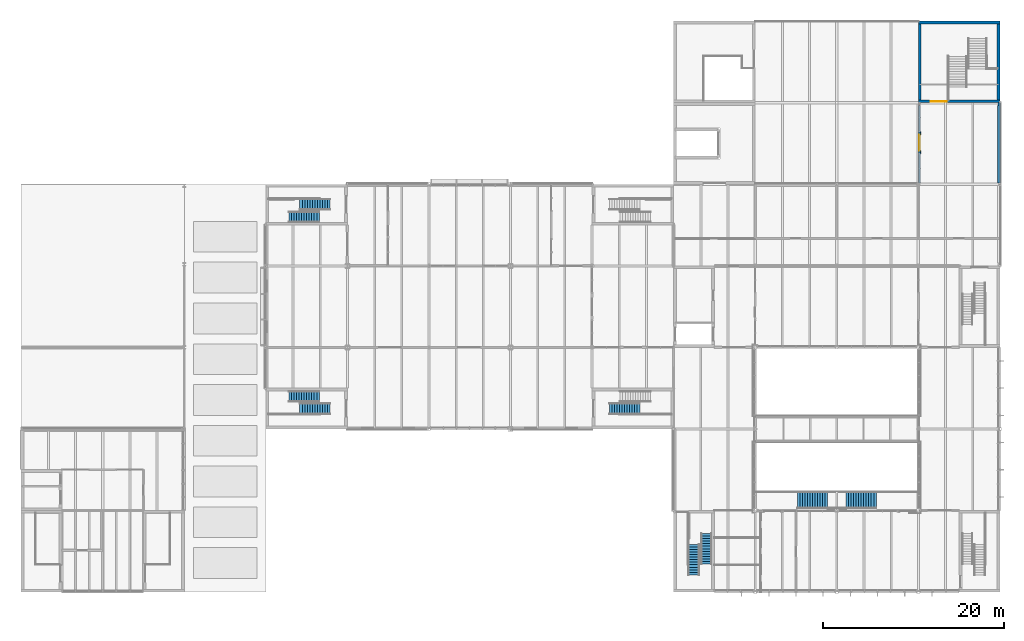
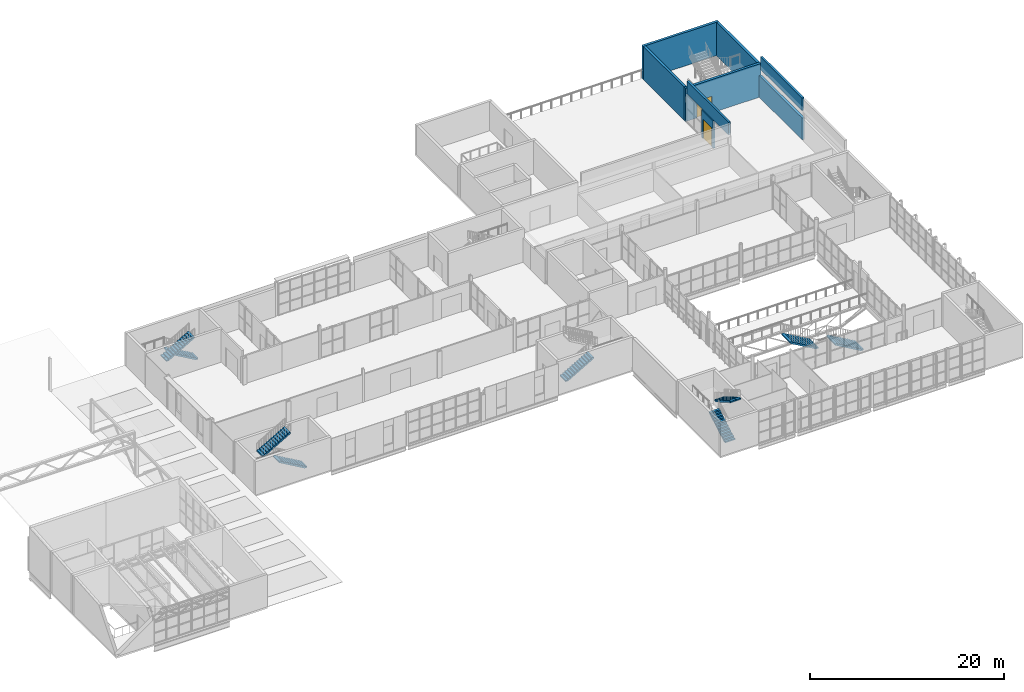
# One storey, part 45 of 61: 9 stair flights, 8 walls, 2 doors, 2 openings, 5 elements without a shape of their own.
"""IFC4 building model written with IfcOpenShell, lengths in metres."""

from ifc_helpers import new_model, si_unit, direction, frame, frame_2d, origin, place, context, subcontext, project, spatial, polyline, rectangle, outline, extrude, material, layer, layer_set, type_object, element, fill, aggregate, save


model = new_model("IFC4")

# Units and contexts
model_context = context("Model", 3, precision=1e-05, world=origin(), true_north=direction((0.0, 1.0)))
body_context = subcontext(model_context, "Body", "Model", "MODEL_VIEW")
ifc_project = project(units=[si_unit("LENGTHUNIT", "METRE"), si_unit("AREAUNIT", "SQUARE_METRE"), si_unit("VOLUMEUNIT", "CUBIC_METRE"), si_unit("PLANEANGLEUNIT", "RADIAN"), si_unit("MASSUNIT", "GRAM", prefix="KILO")], contexts=[model_context])

# Site, building, storey
site_placement = place(None, origin())
site = spatial("IfcSite", under=ifc_project, at=site_placement, CompositionType="ELEMENT")
building_placement = place(site_placement, origin())
building = spatial("IfcBuilding", under=site, at=building_placement, Name="Halyard Row Museum", CompositionType="ELEMENT")
storey_placement = place(building_placement, frame((0.0, 0.0, 9.199951171875)))
storey = spatial("IfcBuildingStorey", under=building, at=storey_placement, Name="L02", CompositionType="ELEMENT", Elevation=9.199951171875)

# Wall, opening, door
ifc_material_1 = material(Name="Powder-coated aluminium section", Category="aluminium")
ifc_layer_1 = layer(ifc_material_1, 0.199951171875)
ifc_layer_set_1 = layer_set([ifc_layer_1], Name="Powder-coated aluminium section")
wall_type_1 = type_object("IfcWallType", Name="Entrance screen frame 200 aluminium", PredefinedType="SOLIDWALL", material=ifc_layer_set_1)
wall_1_placement = place(storey_placement, frame((99.14990234375, 48.375, 0.0), z_axis=(0.0, 0.0, 1.0), x_axis=(0.0, 1.0, 0.0)))
wall_1 = element("IfcWall", 1, at=wall_1_placement, inside=storey, type_object=wall_type_1, Name="Wall WL02-816", PredefinedType="SOLIDWALL", context=body_context, shape_type="SweptSolid", body=[
    extrude(rectangle(XDim=2.39990234375, YDim=0.199951171875, at=frame_2d((1.199951171875, 0.0))), origin(), (0.0, 0.0, 1.0), 3.449951171875),
])
opening_1_placement = place(wall_1_placement, frame((0.300048828125, 0.0, 0.0)))
opening_1 = element("IfcOpeningElement", 2, at=opening_1_placement, cuts=wall_1, Name="Opening DL02-400", PredefinedType="OPENING", context=body_context, shape_type="SweptSolid", body=[
    extrude(rectangle(XDim=1.800048828125, YDim=2.39990234375, at=frame_2d((0.89990234375, 1.199951171875))), frame((0.0, 0.10986328125, 0.0), z_axis=(0.0, -1.0, 0.0), x_axis=(1.0, 0.0, 0.0)), (0.0, 0.0, 1.0), 0.219970703125),
])
ifc_material_2 = material(Name="Powder-coated aluminium section", Category="aluminium")
door_type_1 = type_object("IfcDoorType", Name="Door DE6 terrace double glazed 1800 x 2400", OperationType="NOTDEFINED", PredefinedType="DOOR", material=ifc_material_2)
door_1_placement = place(opening_1_placement, origin())
door_1 = element("IfcDoor", 3, at=door_1_placement, inside=storey, type_object=door_type_1, Name="Door DL02-400", OperationType="DOUBLE_DOOR_SINGLE_SWING", OverallHeight=2.39990234375, OverallWidth=1.800048828125, PredefinedType="DOOR", context=body_context, shape_type="SweptSolid", body=[
    extrude(rectangle(XDim=1.800048828125, YDim=2.39990234375, at=frame_2d((0.89990234375, 1.199951171875))), frame((0.0, 0.02490234375, 0.0), z_axis=(0.0, -1.0, 0.0), x_axis=(1.0, 0.0, 0.0)), (0.0, 0.0, 1.0), 0.050048828125),
])
fill(opening_1, door_1)

ifc_material_3 = material(Name="Concrete 40 MPa", Category="concrete")
ifc_layer_2 = layer(ifc_material_3, 0.300048828125)
ifc_layer_set_2 = layer_set([ifc_layer_2], Name="Concrete 40 MPa")
wall_type_2 = type_object("IfcWallType", Name="Exitway wall 300 reinforced concrete", PredefinedType="SOLIDWALL", material=ifc_layer_set_2)
wall_2_placement = place(storey_placement, frame((99.0, 54.14990234375, 0.0), z_axis=(0.0, 0.0, 1.0), x_axis=(1.0, 0.0, 0.0)))
wall_2 = element("IfcWall", 4, at=wall_2_placement, inside=storey, type_object=wall_type_2, Name="Core wall K5B S L02", PredefinedType="SOLIDWALL", context=body_context, shape_type="SweptSolid", body=[
    extrude(rectangle(XDim=9.0, YDim=0.300048828125, at=frame_2d((4.5, 0.0))), origin(), (0.0, 0.0, 1.0), 4.199951171875),
])
opening_2_placement = place(wall_2_placement, frame((1.35009765625, 0.0, 0.0)))
opening_2 = element("IfcOpeningElement", 5, at=opening_2_placement, cuts=wall_2, Name="Opening DL02-011", PredefinedType="OPENING", context=body_context, shape_type="SweptSolid", body=[
    extrude(rectangle(XDim=1.800048828125, YDim=2.10009765625, at=frame_2d((0.89990234375, 1.050048828125))), frame((0.0, 0.159912109375, 0.0), z_axis=(0.0, -1.0, 0.0), x_axis=(1.0, 0.0, 0.0)), (0.0, 0.0, 1.0), 0.320068359375),
])
ifc_material_4 = material(Name="Fire-resisting timber door leaf and steel frame", Category="steel")
door_type_2 = type_object("IfcDoorType", Name="Exitway door 1800 x 2100 fire rated", OperationType="NOTDEFINED", PredefinedType="DOOR", material=ifc_material_4)
door_2_placement = place(opening_2_placement, origin())
door_2 = element("IfcDoor", 6, at=door_2_placement, inside=storey, type_object=door_type_2, Name="Exitway door K5B L02", OperationType="DOUBLE_DOOR_SINGLE_SWING", OverallHeight=2.10009765625, OverallWidth=1.800048828125, PredefinedType="DOOR", context=body_context, shape_type="SweptSolid", body=[
    extrude(rectangle(XDim=1.800048828125, YDim=2.10009765625, at=frame_2d((0.89990234375, 1.050048828125))), frame((0.0, 0.02490234375, 0.0), z_axis=(0.0, -1.0, 0.0), x_axis=(1.0, 0.0, 0.0)), (0.0, 0.0, 1.0), 0.050048828125),
])
fill(opening_2, door_2)

# Walls
wall_3_placement = place(storey_placement, frame((107.85009765625, 54.300048828125, 0.0), z_axis=(0.0, 0.0, 1.0), x_axis=(0.0, 1.0, 0.0)))
element("IfcWall", 7, at=wall_3_placement, inside=storey, type_object=wall_type_2, Name="Core wall K5B E L02", PredefinedType="SOLIDWALL", context=body_context, shape_type="SweptSolid", body=[
    extrude(rectangle(XDim=8.39990234375, YDim=0.300048828125, at=frame_2d((4.199951171875, 0.0))), origin(), (0.0, 0.0, 1.0), 4.199951171875),
])
wall_4_placement = place(storey_placement, frame((99.0, 62.85009765625, 0.0), z_axis=(0.0, 0.0, 1.0), x_axis=(1.0, 0.0, 0.0)))
element("IfcWall", 8, at=wall_4_placement, inside=storey, type_object=wall_type_2, Name="Core wall K5B N L02", PredefinedType="SOLIDWALL", context=body_context, shape_type="SweptSolid", body=[
    extrude(rectangle(XDim=9.0, YDim=0.300048828125, at=frame_2d((4.5, 0.0))), origin(), (0.0, 0.0, 1.0), 4.199951171875),
])
wall_5_placement = place(storey_placement, frame((99.14990234375, 54.300048828125, 0.0), z_axis=(0.0, 0.0, 1.0), x_axis=(0.0, 1.0, 0.0)))
element("IfcWall", 9, at=wall_5_placement, inside=storey, type_object=wall_type_2, Name="Core wall K5B W L02", PredefinedType="SOLIDWALL", context=body_context, shape_type="SweptSolid", body=[
    extrude(rectangle(XDim=8.39990234375, YDim=0.300048828125, at=frame_2d((4.199951171875, 0.0))), origin(), (0.0, 0.0, 1.0), 4.199951171875),
])
ifc_material_5 = material(Name="Pre-weathered zinc rainscreen on insulated steel-stud wall", Category="steel")
ifc_layer_3 = layer(ifc_material_5, 0.280029296875)
ifc_layer_set_3 = layer_set([ifc_layer_3], Name="Pre-weathered zinc rainscreen on insulated steel-stud wall")
wall_type_3 = type_object("IfcWallType", Name="Rainscreen wall 280 zinc-clad", PredefinedType="SOLIDWALL", material=ifc_layer_set_3)
wall_6_placement = place(storey_placement, frame((107.919921875, 45.125, 0.0), z_axis=(0.0, 0.0, 1.0), x_axis=(0.0, 1.0, 0.0)))
element("IfcWall", 10, at=wall_6_placement, inside=storey, type_object=wall_type_3, Name="Wall WL02-801", PredefinedType="SOLIDWALL", context=body_context, shape_type="SweptSolid", body=[
    extrude(rectangle(XDim=8.875, YDim=0.280029296875, at=frame_2d((4.4375, 0.0))), origin(), (0.0, 0.0, 1.0), 2.75),
])
ifc_material_6 = material(Name="Precast concrete C40/50", Category="concrete")
ifc_layer_4 = layer(ifc_material_6, 0.25)
ifc_layer_set_4 = layer_set([ifc_layer_4], Name="Precast concrete C40/50")
wall_type_4 = type_object("IfcWallType", Name="Roof garden parapet 250 board-formed concrete", PredefinedType="PARAPET", material=ifc_layer_set_4)
for number, where, z_axis, x_axis, name in (
    (11, (99.125, 45.125, 3.699951171875), (0.0, 0.0, 1.0), (0.0, 1.0, 0.0), "Wall PAG-02"),
    (12, (107.875, 45.125, 3.699951171875), (0.0, 0.0, 1.0), (0.0, 1.0, 0.0), "Wall PAG-03"),
):
    element("IfcWall", number, at=place(storey_placement, frame(where, z_axis=z_axis, x_axis=x_axis)), inside=storey, type_object=wall_type_4, Name=name, PredefinedType="PARAPET", context=body_context, shape_type="SweptSolid", body=[
        extrude(rectangle(XDim=8.574951171875, YDim=0.25, at=frame_2d((4.28759765625, 0.0))), origin(), (0.0, 0.0, 1.0), 1.60009765625),
    ])

# Stair, stair flights
ifc_material_7 = material(Name="Concrete 40 MPa", Category="concrete")
stair_type_1 = type_object("IfcStairType", Name="Exit stair two flights 1200", PredefinedType="HALF_TURN_STAIR", material=ifc_material_7)
stair_1_placement = place(storey_placement, origin())
stair_1 = element("IfcStair", 13, at=stair_1_placement, inside=storey, type_object=stair_type_1, Name="Exit stair K1A L02", PredefinedType="HALF_TURN_STAIR")
ifc_material_8 = material(Name="Concrete 40 MPa", Category="concrete")
stair_flight_type_1 = type_object("IfcStairFlightType", Name="Exit stair flight 1200", PredefinedType="STRAIGHT", material=ifc_material_8)
stair_flight_1_placement = place(storey_placement, frame((34.10009765625, 42.75, 0.0), z_axis=(0.0, 0.0, 1.0), x_axis=(-1.0, 0.0, 0.0)))
stair_flight_1 = element("IfcStairFlight", 14, at=stair_flight_1_placement, type_object=stair_flight_type_1, Name="STK1A-L02 flight 1", NumberOfRisers=13, NumberOfTreads=12, PredefinedType="STRAIGHT", RiserHeight=0.161538462, TreadLength=0.28, context=body_context, shape_type="SweptSolid", body=[
    extrude(outline(polyline([(0.0, 0.0), (0.0, 0.16162109375), (0.280029296875, 0.16162109375), (0.280029296875, 0.322998046875), (0.56005859375, 0.322998046875), (0.56005859375, 0.484619140625), (0.840087890625, 0.484619140625), (0.840087890625, 0.646240234375), (1.1201171875, 0.646240234375), (1.1201171875, 0.8076171875), (1.39990234375, 0.8076171875), (1.39990234375, 0.96923828125), (1.679931640625, 0.96923828125), (1.679931640625, 1.130859375), (1.9599609375, 1.130859375), (1.9599609375, 1.292236328125), (2.239990234375, 1.292236328125), (2.239990234375, 1.453857421875), (2.52001953125, 1.453857421875), (2.52001953125, 1.615478515625), (2.800048828125, 1.615478515625), (2.800048828125, 1.77685546875), (3.080078125, 1.77685546875), (3.080078125, 1.9384765625), (3.360107421875, 1.9384765625), (3.360107421875, 2.10009765625), (3.360107421875, 1.765380859375), (0.300048828125, 0.0), (0.0, 0.0)])), frame((0.0, 0.60009765625, 0.0), z_axis=(0.0, -1.0, 0.0), x_axis=(1.0, 0.0, 0.0)), (0.0, 0.0, 1.0), 0.59912109375),
    extrude(outline(polyline([(0.0, 0.0), (0.0, 0.16162109375), (0.280029296875, 0.16162109375), (0.280029296875, 0.322998046875), (0.56005859375, 0.322998046875), (0.56005859375, 0.484619140625), (0.840087890625, 0.484619140625), (0.840087890625, 0.646240234375), (1.1201171875, 0.646240234375), (1.1201171875, 0.8076171875), (1.39990234375, 0.8076171875), (1.39990234375, 0.96923828125), (1.679931640625, 0.96923828125), (1.679931640625, 1.130859375), (1.9599609375, 1.130859375), (1.9599609375, 1.292236328125), (2.239990234375, 1.292236328125), (2.239990234375, 1.453857421875), (2.52001953125, 1.453857421875), (2.52001953125, 1.615478515625), (2.800048828125, 1.615478515625), (2.800048828125, 1.77685546875), (3.080078125, 1.77685546875), (3.080078125, 1.9384765625), (3.360107421875, 1.9384765625), (3.360107421875, 2.10009765625), (3.360107421875, 1.765380859375), (0.300048828125, 0.0), (0.0, 0.0)])), frame((0.0, -0.0009765625, 0.0), z_axis=(0.0, -1.0, 0.0), x_axis=(1.0, 0.0, 0.0)), (0.0, 0.0, 1.0), 0.59912109375),
])
stair_flight_2_placement = place(storey_placement, frame((29.5400390625, 41.39990234375, 2.10009765625), z_axis=(0.0, 0.0, 1.0), x_axis=(1.0, 0.0, 0.0)))
stair_flight_2 = element("IfcStairFlight", 15, at=stair_flight_2_placement, type_object=stair_flight_type_1, Name="STK1A-L02 flight 2", NumberOfRisers=13, NumberOfTreads=12, PredefinedType="STRAIGHT", RiserHeight=0.161538462, TreadLength=0.28, context=body_context, shape_type="SweptSolid", body=[
    extrude(outline(polyline([(0.0, 0.0), (0.0, 0.16162109375), (0.280029296875, 0.16162109375), (0.280029296875, 0.322998046875), (0.56005859375, 0.322998046875), (0.56005859375, 0.484619140625), (0.840087890625, 0.484619140625), (0.840087890625, 0.646240234375), (1.1201171875, 0.646240234375), (1.1201171875, 0.8076171875), (1.39990234375, 0.8076171875), (1.39990234375, 0.96923828125), (1.679931640625, 0.96923828125), (1.679931640625, 1.130859375), (1.9599609375, 1.130859375), (1.9599609375, 1.292236328125), (2.239990234375, 1.292236328125), (2.239990234375, 1.453857421875), (2.52001953125, 1.453857421875), (2.52001953125, 1.615478515625), (2.800048828125, 1.615478515625), (2.800048828125, 1.77685546875), (3.080078125, 1.77685546875), (3.080078125, 1.9384765625), (3.360107421875, 1.9384765625), (3.360107421875, 2.10009765625), (3.360107421875, 1.765380859375), (0.300048828125, 0.0), (0.0, 0.0)])), frame((0.0, 0.60009765625, 0.0), z_axis=(0.0, -1.0, 0.0), x_axis=(1.0, 0.0, 0.0)), (0.0, 0.0, 1.0), 0.59912109375),
    extrude(outline(polyline([(0.0, 0.0), (0.0, 0.16162109375), (0.280029296875, 0.16162109375), (0.280029296875, 0.322998046875), (0.56005859375, 0.322998046875), (0.56005859375, 0.484619140625), (0.840087890625, 0.484619140625), (0.840087890625, 0.646240234375), (1.1201171875, 0.646240234375), (1.1201171875, 0.8076171875), (1.39990234375, 0.8076171875), (1.39990234375, 0.96923828125), (1.679931640625, 0.96923828125), (1.679931640625, 1.130859375), (1.9599609375, 1.130859375), (1.9599609375, 1.292236328125), (2.239990234375, 1.292236328125), (2.239990234375, 1.453857421875), (2.52001953125, 1.453857421875), (2.52001953125, 1.615478515625), (2.800048828125, 1.615478515625), (2.800048828125, 1.77685546875), (3.080078125, 1.77685546875), (3.080078125, 1.9384765625), (3.360107421875, 1.9384765625), (3.360107421875, 2.10009765625), (3.360107421875, 1.765380859375), (0.300048828125, 0.0), (0.0, 0.0)])), frame((0.0, -0.0009765625, 0.0), z_axis=(0.0, -1.0, 0.0), x_axis=(1.0, 0.0, 0.0)), (0.0, 0.0, 1.0), 0.59912109375),
])
aggregate(stair_1, [stair_flight_1, stair_flight_2])

# Stair, stair flight
stair_2_placement = place(storey_placement, origin())
stair_2 = element("IfcStair", 16, at=stair_2_placement, inside=storey, type_object=stair_type_1, Name="Exit stair K1C L02", PredefinedType="HALF_TURN_STAIR")
stair_flight_3_placement = place(storey_placement, frame((64.89990234375, 20.25, 0.0), z_axis=(0.0, 0.0, 1.0), x_axis=(1.0, 0.0, 0.0)))
stair_flight_3 = element("IfcStairFlight", 17, at=stair_flight_3_placement, type_object=stair_flight_type_1, Name="STK1C-L02 flight 1", NumberOfRisers=13, NumberOfTreads=12, PredefinedType="STRAIGHT", RiserHeight=0.161538462, TreadLength=0.28, context=body_context, shape_type="SweptSolid", body=[
    extrude(outline(polyline([(0.0, 0.0), (0.0, 0.16162109375), (0.280029296875, 0.16162109375), (0.280029296875, 0.322998046875), (0.56005859375, 0.322998046875), (0.56005859375, 0.484619140625), (0.840087890625, 0.484619140625), (0.840087890625, 0.646240234375), (1.1201171875, 0.646240234375), (1.1201171875, 0.8076171875), (1.39990234375, 0.8076171875), (1.39990234375, 0.96923828125), (1.679931640625, 0.96923828125), (1.679931640625, 1.130859375), (1.9599609375, 1.130859375), (1.9599609375, 1.292236328125), (2.239990234375, 1.292236328125), (2.239990234375, 1.453857421875), (2.52001953125, 1.453857421875), (2.52001953125, 1.615478515625), (2.800048828125, 1.615478515625), (2.800048828125, 1.77685546875), (3.080078125, 1.77685546875), (3.080078125, 1.9384765625), (3.360107421875, 1.9384765625), (3.360107421875, 2.10009765625), (3.360107421875, 1.765380859375), (0.300048828125, 0.0), (0.0, 0.0)])), frame((0.0, 0.60009765625, 0.0), z_axis=(0.0, -1.0, 0.0), x_axis=(1.0, 0.0, 0.0)), (0.0, 0.0, 1.0), 0.59912109375),
    extrude(outline(polyline([(0.0, 0.0), (0.0, 0.16162109375), (0.280029296875, 0.16162109375), (0.280029296875, 0.322998046875), (0.56005859375, 0.322998046875), (0.56005859375, 0.484619140625), (0.840087890625, 0.484619140625), (0.840087890625, 0.646240234375), (1.1201171875, 0.646240234375), (1.1201171875, 0.8076171875), (1.39990234375, 0.8076171875), (1.39990234375, 0.96923828125), (1.679931640625, 0.96923828125), (1.679931640625, 1.130859375), (1.9599609375, 1.130859375), (1.9599609375, 1.292236328125), (2.239990234375, 1.292236328125), (2.239990234375, 1.453857421875), (2.52001953125, 1.453857421875), (2.52001953125, 1.615478515625), (2.800048828125, 1.615478515625), (2.800048828125, 1.77685546875), (3.080078125, 1.77685546875), (3.080078125, 1.9384765625), (3.360107421875, 1.9384765625), (3.360107421875, 2.10009765625), (3.360107421875, 1.765380859375), (0.300048828125, 0.0), (0.0, 0.0)])), frame((0.0, -0.0009765625, 0.0), z_axis=(0.0, -1.0, 0.0), x_axis=(1.0, 0.0, 0.0)), (0.0, 0.0, 1.0), 0.59912109375),
])
aggregate(stair_2, [stair_flight_3])

# Stair, stair flights
stair_3_placement = place(storey_placement, origin())
stair_3 = element("IfcStair", 18, at=stair_3_placement, inside=storey, type_object=stair_type_1, Name="Exit stair K1D L02", PredefinedType="HALF_TURN_STAIR")
stair_flight_4_placement = place(storey_placement, frame((34.10009765625, 20.25, 0.0), z_axis=(0.0, 0.0, 1.0), x_axis=(-1.0, 0.0, 0.0)))
stair_flight_4 = element("IfcStairFlight", 19, at=stair_flight_4_placement, type_object=stair_flight_type_1, Name="STK1D-L02 flight 1", NumberOfRisers=13, NumberOfTreads=12, PredefinedType="STRAIGHT", RiserHeight=0.161538462, TreadLength=0.28, context=body_context, shape_type="SweptSolid", body=[
    extrude(outline(polyline([(0.0, 0.0), (0.0, 0.16162109375), (0.280029296875, 0.16162109375), (0.280029296875, 0.322998046875), (0.56005859375, 0.322998046875), (0.56005859375, 0.484619140625), (0.840087890625, 0.484619140625), (0.840087890625, 0.646240234375), (1.1201171875, 0.646240234375), (1.1201171875, 0.8076171875), (1.39990234375, 0.8076171875), (1.39990234375, 0.96923828125), (1.679931640625, 0.96923828125), (1.679931640625, 1.130859375), (1.9599609375, 1.130859375), (1.9599609375, 1.292236328125), (2.239990234375, 1.292236328125), (2.239990234375, 1.453857421875), (2.52001953125, 1.453857421875), (2.52001953125, 1.615478515625), (2.800048828125, 1.615478515625), (2.800048828125, 1.77685546875), (3.080078125, 1.77685546875), (3.080078125, 1.9384765625), (3.360107421875, 1.9384765625), (3.360107421875, 2.10009765625), (3.360107421875, 1.765380859375), (0.300048828125, 0.0), (0.0, 0.0)])), frame((0.0, 0.60009765625, 0.0), z_axis=(0.0, -1.0, 0.0), x_axis=(1.0, 0.0, 0.0)), (0.0, 0.0, 1.0), 0.59912109375),
    extrude(outline(polyline([(0.0, 0.0), (0.0, 0.16162109375), (0.280029296875, 0.16162109375), (0.280029296875, 0.322998046875), (0.56005859375, 0.322998046875), (0.56005859375, 0.484619140625), (0.840087890625, 0.484619140625), (0.840087890625, 0.646240234375), (1.1201171875, 0.646240234375), (1.1201171875, 0.8076171875), (1.39990234375, 0.8076171875), (1.39990234375, 0.96923828125), (1.679931640625, 0.96923828125), (1.679931640625, 1.130859375), (1.9599609375, 1.130859375), (1.9599609375, 1.292236328125), (2.239990234375, 1.292236328125), (2.239990234375, 1.453857421875), (2.52001953125, 1.453857421875), (2.52001953125, 1.615478515625), (2.800048828125, 1.615478515625), (2.800048828125, 1.77685546875), (3.080078125, 1.77685546875), (3.080078125, 1.9384765625), (3.360107421875, 1.9384765625), (3.360107421875, 2.10009765625), (3.360107421875, 1.765380859375), (0.300048828125, 0.0), (0.0, 0.0)])), frame((0.0, -0.0009765625, 0.0), z_axis=(0.0, -1.0, 0.0), x_axis=(1.0, 0.0, 0.0)), (0.0, 0.0, 1.0), 0.59912109375),
])
stair_flight_5_placement = place(storey_placement, frame((29.5400390625, 21.60009765625, 2.10009765625), z_axis=(0.0, 0.0, 1.0), x_axis=(1.0, 0.0, 0.0)))
stair_flight_5 = element("IfcStairFlight", 20, at=stair_flight_5_placement, type_object=stair_flight_type_1, Name="STK1D-L02 flight 2", NumberOfRisers=13, NumberOfTreads=12, PredefinedType="STRAIGHT", RiserHeight=0.161538462, TreadLength=0.28, context=body_context, shape_type="SweptSolid", body=[
    extrude(outline(polyline([(0.0, 0.0), (0.0, 0.16162109375), (0.280029296875, 0.16162109375), (0.280029296875, 0.322998046875), (0.56005859375, 0.322998046875), (0.56005859375, 0.484619140625), (0.840087890625, 0.484619140625), (0.840087890625, 0.646240234375), (1.1201171875, 0.646240234375), (1.1201171875, 0.8076171875), (1.39990234375, 0.8076171875), (1.39990234375, 0.96923828125), (1.679931640625, 0.96923828125), (1.679931640625, 1.130859375), (1.9599609375, 1.130859375), (1.9599609375, 1.292236328125), (2.239990234375, 1.292236328125), (2.239990234375, 1.453857421875), (2.52001953125, 1.453857421875), (2.52001953125, 1.615478515625), (2.800048828125, 1.615478515625), (2.800048828125, 1.77685546875), (3.080078125, 1.77685546875), (3.080078125, 1.9384765625), (3.360107421875, 1.9384765625), (3.360107421875, 2.10009765625), (3.360107421875, 1.765380859375), (0.300048828125, 0.0), (0.0, 0.0)])), frame((0.0, 0.60009765625, 0.0), z_axis=(0.0, -1.0, 0.0), x_axis=(1.0, 0.0, 0.0)), (0.0, 0.0, 1.0), 0.59912109375),
    extrude(outline(polyline([(0.0, 0.0), (0.0, 0.16162109375), (0.280029296875, 0.16162109375), (0.280029296875, 0.322998046875), (0.56005859375, 0.322998046875), (0.56005859375, 0.484619140625), (0.840087890625, 0.484619140625), (0.840087890625, 0.646240234375), (1.1201171875, 0.646240234375), (1.1201171875, 0.8076171875), (1.39990234375, 0.8076171875), (1.39990234375, 0.96923828125), (1.679931640625, 0.96923828125), (1.679931640625, 1.130859375), (1.9599609375, 1.130859375), (1.9599609375, 1.292236328125), (2.239990234375, 1.292236328125), (2.239990234375, 1.453857421875), (2.52001953125, 1.453857421875), (2.52001953125, 1.615478515625), (2.800048828125, 1.615478515625), (2.800048828125, 1.77685546875), (3.080078125, 1.77685546875), (3.080078125, 1.9384765625), (3.360107421875, 1.9384765625), (3.360107421875, 2.10009765625), (3.360107421875, 1.765380859375), (0.300048828125, 0.0), (0.0, 0.0)])), frame((0.0, -0.0009765625, 0.0), z_axis=(0.0, -1.0, 0.0), x_axis=(1.0, 0.0, 0.0)), (0.0, 0.0, 1.0), 0.59912109375),
])
aggregate(stair_3, [stair_flight_4, stair_flight_5])

stair_4_placement = place(storey_placement, origin())
stair_4 = element("IfcStair", 21, at=stair_4_placement, inside=storey, type_object=stair_type_1, Name="Exit stair K2A L02", PredefinedType="HALF_TURN_STAIR")
stair_flight_6_placement = place(storey_placement, frame((74.25, 1.89990234375, 0.0), z_axis=(0.0, 0.0, 1.0), x_axis=(0.0, 1.0, 0.0)))
stair_flight_6 = element("IfcStairFlight", 22, at=stair_flight_6_placement, type_object=stair_flight_type_1, Name="STK2A-L02 flight 1", NumberOfRisers=13, NumberOfTreads=12, PredefinedType="STRAIGHT", RiserHeight=0.161538462, TreadLength=0.28, context=body_context, shape_type="SweptSolid", body=[
    extrude(outline(polyline([(0.0, 0.0), (0.0, 0.16162109375), (0.280029296875, 0.16162109375), (0.280029296875, 0.322998046875), (0.56005859375, 0.322998046875), (0.56005859375, 0.484619140625), (0.840087890625, 0.484619140625), (0.840087890625, 0.646240234375), (1.1201171875, 0.646240234375), (1.1201171875, 0.8076171875), (1.39990234375, 0.8076171875), (1.39990234375, 0.96923828125), (1.679931640625, 0.96923828125), (1.679931640625, 1.130859375), (1.9599609375, 1.130859375), (1.9599609375, 1.292236328125), (2.239990234375, 1.292236328125), (2.239990234375, 1.453857421875), (2.52001953125, 1.453857421875), (2.52001953125, 1.615478515625), (2.800048828125, 1.615478515625), (2.800048828125, 1.77685546875), (3.080078125, 1.77685546875), (3.080078125, 1.9384765625), (3.360107421875, 1.9384765625), (3.360107421875, 2.10009765625), (3.360107421875, 1.765380859375), (0.300048828125, 0.0), (0.0, 0.0)])), frame((0.0, 0.60009765625, 0.0), z_axis=(0.0, -1.0, 0.0), x_axis=(1.0, 0.0, 0.0)), (0.0, 0.0, 1.0), 0.59912109375),
    extrude(outline(polyline([(0.0, 0.0), (0.0, 0.16162109375), (0.280029296875, 0.16162109375), (0.280029296875, 0.322998046875), (0.56005859375, 0.322998046875), (0.56005859375, 0.484619140625), (0.840087890625, 0.484619140625), (0.840087890625, 0.646240234375), (1.1201171875, 0.646240234375), (1.1201171875, 0.8076171875), (1.39990234375, 0.8076171875), (1.39990234375, 0.96923828125), (1.679931640625, 0.96923828125), (1.679931640625, 1.130859375), (1.9599609375, 1.130859375), (1.9599609375, 1.292236328125), (2.239990234375, 1.292236328125), (2.239990234375, 1.453857421875), (2.52001953125, 1.453857421875), (2.52001953125, 1.615478515625), (2.800048828125, 1.615478515625), (2.800048828125, 1.77685546875), (3.080078125, 1.77685546875), (3.080078125, 1.9384765625), (3.360107421875, 1.9384765625), (3.360107421875, 2.10009765625), (3.360107421875, 1.765380859375), (0.300048828125, 0.0), (0.0, 0.0)])), frame((0.0, -0.0009765625, 0.0), z_axis=(0.0, -1.0, 0.0), x_axis=(1.0, 0.0, 0.0)), (0.0, 0.0, 1.0), 0.59912109375),
])
stair_flight_7_placement = place(storey_placement, frame((75.60009765625, 6.4599609375, 2.10009765625), z_axis=(0.0, 0.0, 1.0), x_axis=(0.0, -1.0, 0.0)))
stair_flight_7 = element("IfcStairFlight", 23, at=stair_flight_7_placement, type_object=stair_flight_type_1, Name="STK2A-L02 flight 2", NumberOfRisers=13, NumberOfTreads=12, PredefinedType="STRAIGHT", RiserHeight=0.161538462, TreadLength=0.28, context=body_context, shape_type="SweptSolid", body=[
    extrude(outline(polyline([(0.0, 0.0), (0.0, 0.16162109375), (0.280029296875, 0.16162109375), (0.280029296875, 0.322998046875), (0.56005859375, 0.322998046875), (0.56005859375, 0.484619140625), (0.840087890625, 0.484619140625), (0.840087890625, 0.646240234375), (1.1201171875, 0.646240234375), (1.1201171875, 0.8076171875), (1.39990234375, 0.8076171875), (1.39990234375, 0.96923828125), (1.679931640625, 0.96923828125), (1.679931640625, 1.130859375), (1.9599609375, 1.130859375), (1.9599609375, 1.292236328125), (2.239990234375, 1.292236328125), (2.239990234375, 1.453857421875), (2.52001953125, 1.453857421875), (2.52001953125, 1.615478515625), (2.800048828125, 1.615478515625), (2.800048828125, 1.77685546875), (3.080078125, 1.77685546875), (3.080078125, 1.9384765625), (3.360107421875, 1.9384765625), (3.360107421875, 2.10009765625), (3.360107421875, 1.765380859375), (0.300048828125, 0.0), (0.0, 0.0)])), frame((0.0, 0.60009765625, 0.0), z_axis=(0.0, -1.0, 0.0), x_axis=(1.0, 0.0, 0.0)), (0.0, 0.0, 1.0), 0.59912109375),
    extrude(outline(polyline([(0.0, 0.0), (0.0, 0.16162109375), (0.280029296875, 0.16162109375), (0.280029296875, 0.322998046875), (0.56005859375, 0.322998046875), (0.56005859375, 0.484619140625), (0.840087890625, 0.484619140625), (0.840087890625, 0.646240234375), (1.1201171875, 0.646240234375), (1.1201171875, 0.8076171875), (1.39990234375, 0.8076171875), (1.39990234375, 0.96923828125), (1.679931640625, 0.96923828125), (1.679931640625, 1.130859375), (1.9599609375, 1.130859375), (1.9599609375, 1.292236328125), (2.239990234375, 1.292236328125), (2.239990234375, 1.453857421875), (2.52001953125, 1.453857421875), (2.52001953125, 1.615478515625), (2.800048828125, 1.615478515625), (2.800048828125, 1.77685546875), (3.080078125, 1.77685546875), (3.080078125, 1.9384765625), (3.360107421875, 1.9384765625), (3.360107421875, 2.10009765625), (3.360107421875, 1.765380859375), (0.300048828125, 0.0), (0.0, 0.0)])), frame((0.0, -0.0009765625, 0.0), z_axis=(0.0, -1.0, 0.0), x_axis=(1.0, 0.0, 0.0)), (0.0, 0.0, 1.0), 0.59912109375),
])
aggregate(stair_4, [stair_flight_6, stair_flight_7])

ifc_material_9 = material(Name="Steel Grade 350", Category="steel")
stair_type_2 = type_object("IfcStairType", Name="Feature stair two flights 1800", PredefinedType="HALF_TURN_STAIR", material=ifc_material_9)
stair_5_placement = place(storey_placement, origin())
stair_5 = element("IfcStair", 24, at=stair_5_placement, inside=storey, type_object=stair_type_2, Name="Feature stair L02", PredefinedType="HALF_TURN_STAIR")
ifc_material_10 = material(Name="Steel Grade 350", Category="steel")
stair_flight_type_2 = type_object("IfcStairFlightType", Name="Feature stair flight 1800", PredefinedType="STRAIGHT", material=ifc_material_10)
stair_flight_8_placement = place(storey_placement, frame((94.360107421875, 10.14990234375, 0.0), z_axis=(0.0, 0.0, 1.0), x_axis=(-1.0, 0.0, 0.0)))
stair_flight_8 = element("IfcStairFlight", 25, at=stair_flight_8_placement, type_object=stair_flight_type_2, Name="STF-L02 flight 1", NumberOfRisers=13, NumberOfTreads=12, PredefinedType="STRAIGHT", RiserHeight=0.161538462, TreadLength=0.28, context=body_context, shape_type="SweptSolid", body=[
    extrude(outline(polyline([(0.0, 0.0), (0.0, 0.16162109375), (0.280029296875, 0.16162109375), (0.280029296875, 0.322998046875), (0.56005859375, 0.322998046875), (0.56005859375, 0.484619140625), (0.840087890625, 0.484619140625), (0.840087890625, 0.646240234375), (1.1201171875, 0.646240234375), (1.1201171875, 0.8076171875), (1.39990234375, 0.8076171875), (1.39990234375, 0.96923828125), (1.679931640625, 0.96923828125), (1.679931640625, 1.130859375), (1.9599609375, 1.130859375), (1.9599609375, 1.292236328125), (2.239990234375, 1.292236328125), (2.239990234375, 1.453857421875), (2.52001953125, 1.453857421875), (2.52001953125, 1.615478515625), (2.800048828125, 1.615478515625), (2.800048828125, 1.77685546875), (3.080078125, 1.77685546875), (3.080078125, 1.9384765625), (3.360107421875, 1.9384765625), (3.360107421875, 2.10009765625), (3.360107421875, 1.765380859375), (0.300048828125, 0.0), (0.0, 0.0)])), frame((0.0, 0.89990234375, 0.0), z_axis=(0.0, -1.0, 0.0), x_axis=(1.0, 0.0, 0.0)), (0.0, 0.0, 1.0), 0.89892578125),
    extrude(outline(polyline([(0.0, 0.0), (0.0, 0.16162109375), (0.280029296875, 0.16162109375), (0.280029296875, 0.322998046875), (0.56005859375, 0.322998046875), (0.56005859375, 0.484619140625), (0.840087890625, 0.484619140625), (0.840087890625, 0.646240234375), (1.1201171875, 0.646240234375), (1.1201171875, 0.8076171875), (1.39990234375, 0.8076171875), (1.39990234375, 0.96923828125), (1.679931640625, 0.96923828125), (1.679931640625, 1.130859375), (1.9599609375, 1.130859375), (1.9599609375, 1.292236328125), (2.239990234375, 1.292236328125), (2.239990234375, 1.453857421875), (2.52001953125, 1.453857421875), (2.52001953125, 1.615478515625), (2.800048828125, 1.615478515625), (2.800048828125, 1.77685546875), (3.080078125, 1.77685546875), (3.080078125, 1.9384765625), (3.360107421875, 1.9384765625), (3.360107421875, 2.10009765625), (3.360107421875, 1.765380859375), (0.300048828125, 0.0), (0.0, 0.0)])), frame((0.0, -0.0009765625, 0.0), z_axis=(0.0, -1.0, 0.0), x_axis=(1.0, 0.0, 0.0)), (0.0, 0.0, 1.0), 0.89892578125),
])
stair_flight_9_placement = place(storey_placement, frame((89.0, 10.14990234375, 2.10009765625), z_axis=(0.0, 0.0, 1.0), x_axis=(-1.0, 0.0, 0.0)))
stair_flight_9 = element("IfcStairFlight", 26, at=stair_flight_9_placement, type_object=stair_flight_type_2, Name="STF-L02 flight 2", NumberOfRisers=13, NumberOfTreads=12, PredefinedType="STRAIGHT", RiserHeight=0.161538462, TreadLength=0.28, context=body_context, shape_type="SweptSolid", body=[
    extrude(outline(polyline([(0.0, 0.0), (0.0, 0.16162109375), (0.280029296875, 0.16162109375), (0.280029296875, 0.322998046875), (0.56005859375, 0.322998046875), (0.56005859375, 0.484619140625), (0.840087890625, 0.484619140625), (0.840087890625, 0.646240234375), (1.1201171875, 0.646240234375), (1.1201171875, 0.8076171875), (1.39990234375, 0.8076171875), (1.39990234375, 0.96923828125), (1.679931640625, 0.96923828125), (1.679931640625, 1.130859375), (1.9599609375, 1.130859375), (1.9599609375, 1.292236328125), (2.239990234375, 1.292236328125), (2.239990234375, 1.453857421875), (2.52001953125, 1.453857421875), (2.52001953125, 1.615478515625), (2.800048828125, 1.615478515625), (2.800048828125, 1.77685546875), (3.080078125, 1.77685546875), (3.080078125, 1.9384765625), (3.360107421875, 1.9384765625), (3.360107421875, 2.10009765625), (3.360107421875, 1.765380859375), (0.300048828125, 0.0), (0.0, 0.0)])), frame((0.0, 0.89990234375, 0.0), z_axis=(0.0, -1.0, 0.0), x_axis=(1.0, 0.0, 0.0)), (0.0, 0.0, 1.0), 0.89892578125),
    extrude(outline(polyline([(0.0, 0.0), (0.0, 0.16162109375), (0.280029296875, 0.16162109375), (0.280029296875, 0.322998046875), (0.56005859375, 0.322998046875), (0.56005859375, 0.484619140625), (0.840087890625, 0.484619140625), (0.840087890625, 0.646240234375), (1.1201171875, 0.646240234375), (1.1201171875, 0.8076171875), (1.39990234375, 0.8076171875), (1.39990234375, 0.96923828125), (1.679931640625, 0.96923828125), (1.679931640625, 1.130859375), (1.9599609375, 1.130859375), (1.9599609375, 1.292236328125), (2.239990234375, 1.292236328125), (2.239990234375, 1.453857421875), (2.52001953125, 1.453857421875), (2.52001953125, 1.615478515625), (2.800048828125, 1.615478515625), (2.800048828125, 1.77685546875), (3.080078125, 1.77685546875), (3.080078125, 1.9384765625), (3.360107421875, 1.9384765625), (3.360107421875, 2.10009765625), (3.360107421875, 1.765380859375), (0.300048828125, 0.0), (0.0, 0.0)])), frame((0.0, -0.0009765625, 0.0), z_axis=(0.0, -1.0, 0.0), x_axis=(1.0, 0.0, 0.0)), (0.0, 0.0, 1.0), 0.89892578125),
])
aggregate(stair_5, [stair_flight_8, stair_flight_9])

save(model, "model.ifc")
